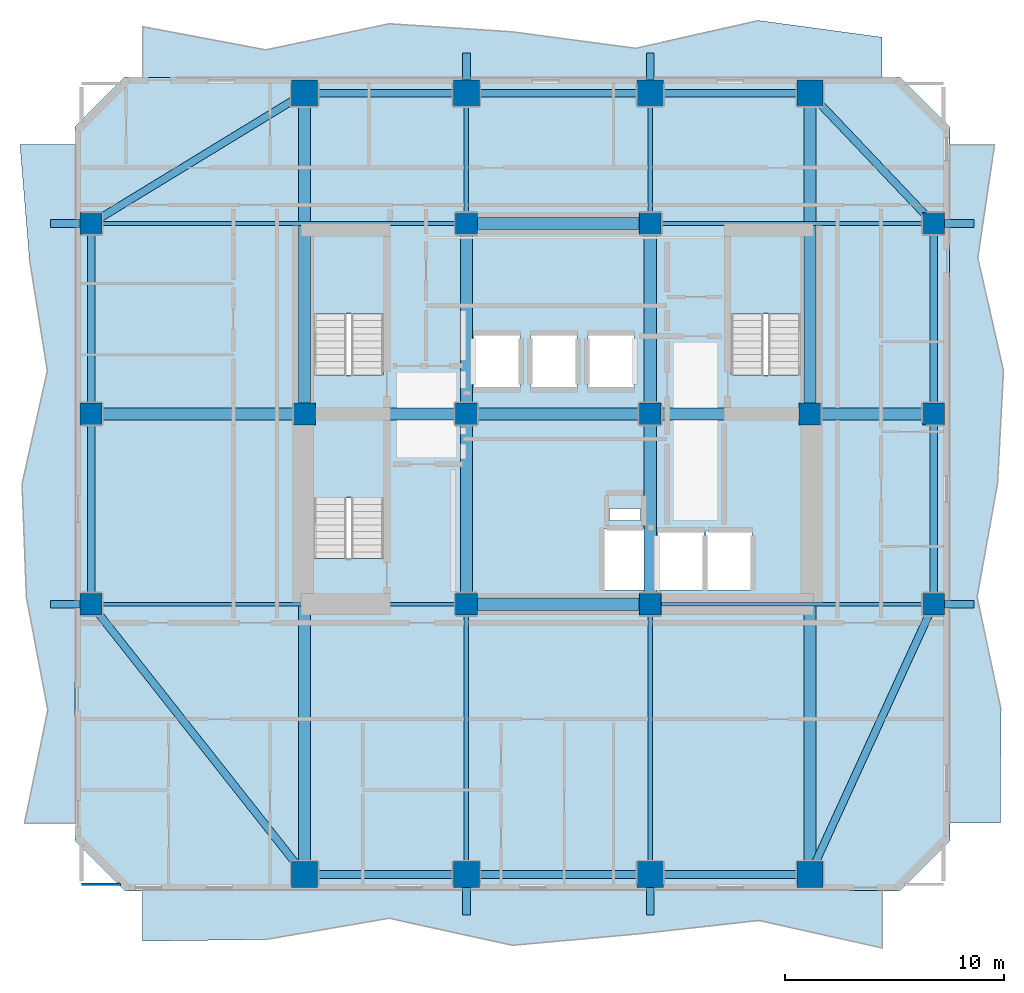
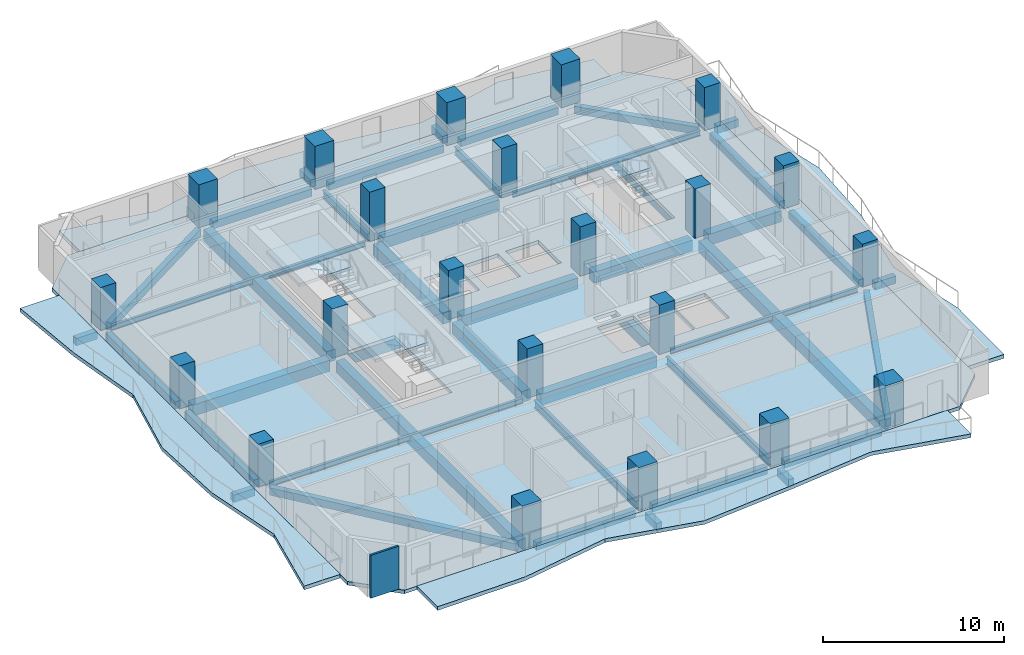
# One storey, part 1 of 10: 45 beams, 22 columns, 8 slabs, 1 wall, 3 elements without a shape of their own.
"""IFC4 building model written with IfcOpenShell, lengths in metres."""

import ifcopenshell
import ifcopenshell.guid

model = None  # the IFC model being written
_history = None  # IfcOwnerHistory: only IFC2X3 demands one
_inside = {}  # id of a spatial element -> (the spatial element, [elements in it])
_under = {}  # id of a project, library or spatial element -> (it, [spatial elements below it])
_declared = {}  # id of a project -> (the project, [libraries it declares])
_typed = {}  # id of a type object -> (the type object, [elements of that type])
_made_of = {}  # id of a material, layer set ... -> (it, [elements and type objects made of it])


def new_model(schema):
    """Start an empty IFC model of exactly this schema.

    Asked for "IFC4X3", IfcOpenShell would pick the latest addendum, in which some entities
    have other attributes; the version numbers below select the first issue.
    IFC2X3 requires an IfcOwnerHistory on every rooted entity: one is made here for all.
    """
    global model, _history
    if schema == "IFC4X3":
        model = ifcopenshell.file(schema_version=(4, 3, 0, 0))
    else:
        model = ifcopenshell.file(schema=schema)
    _inside.clear()
    _under.clear()
    _declared.clear()
    _typed.clear()
    _made_of.clear()
    _history = None
    if model.schema == "IFC2X3":
        org = make("IfcOrganization", Name="unknown")
        user = make(
            "IfcPersonAndOrganization",
            ThePerson=make("IfcPerson", FamilyName="unknown"),
            TheOrganization=org,
        )
        app = make(
            "IfcApplication",
            ApplicationDeveloper=org,
            Version="unknown",
            ApplicationFullName="unknown",
            ApplicationIdentifier="unknown",
        )
        _history = make(
            "IfcOwnerHistory",
            OwningUser=user,
            OwningApplication=app,
            ChangeAction="ADDED",
            CreationDate=0,
        )
    return model


def make(cls, **values):
    """One entity of the class cls with the attributes given. An attribute that is None is left unset."""
    return model.create_entity(
        cls, **{name: value for name, value in values.items() if value is not None}
    )


def rooted(cls, **values):
    """An entity with a GlobalId (a new one), such as an element, a storey or a relation."""
    return make(cls, GlobalId=ifcopenshell.guid.new(), OwnerHistory=_history, **values)


def si_unit(unit_type, name, prefix=None):
    """IfcSIUnit, for example si_unit("LENGTHUNIT", "METRE", prefix="MILLI")."""
    return make("IfcSIUnit", UnitType=unit_type, Prefix=prefix, Name=name)


def assignment(units):
    """IfcUnitAssignment: the units of a project."""
    return None if units is None else make("IfcUnitAssignment", Units=units)


def point(xyz):
    """IfcCartesianPoint."""
    return None if xyz is None else make("IfcCartesianPoint", Coordinates=xyz)


def direction(xyz):
    """IfcDirection."""
    return None if xyz is None else make("IfcDirection", DirectionRatios=xyz)


def frame(location, z_axis=None, x_axis=None):
    """IfcAxis2Placement3D, a coordinate frame: its origin and axes. An axis left out is left unset."""
    return make(
        "IfcAxis2Placement3D",
        Location=point(location),
        Axis=direction(z_axis),
        RefDirection=direction(x_axis),
    )


def frame_2d(location, x_axis=None):
    """IfcAxis2Placement2D, a coordinate frame in the plane: its origin and x axis."""
    return make(
        "IfcAxis2Placement2D", Location=point(location), RefDirection=direction(x_axis)
    )


def origin():
    """The frame at (0, 0, 0) with its axes left unset."""
    return frame((0.0, 0.0, 0.0))


def origin_2d():
    """The frame at (0, 0) in the plane with its x axis left unset."""
    return frame_2d((0.0, 0.0))


def place(relative_to, where):
    """IfcLocalPlacement: puts the frame where relative to a parent placement (None: the world)."""
    return make(
        "IfcLocalPlacement", PlacementRelTo=relative_to, RelativePlacement=where
    )


def context(
    kind, dimensions, precision=None, world=None, true_north=None, identifier=None
):
    """IfcGeometricRepresentationContext, for example the 3D "Model" context."""
    return make(
        "IfcGeometricRepresentationContext",
        ContextIdentifier=identifier,
        ContextType=kind,
        CoordinateSpaceDimension=dimensions,
        Precision=precision,
        WorldCoordinateSystem=world,
        TrueNorth=true_north,
    )


def subcontext(parent, identifier, kind, view, scale=None):
    """IfcGeometricRepresentationSubContext, for example "Body" below "Model"."""
    return make(
        "IfcGeometricRepresentationSubContext",
        ContextIdentifier=identifier,
        ContextType=kind,
        ParentContext=parent,
        TargetScale=scale,
        TargetView=view,
    )


def project(units=None, contexts=None):
    """IfcProject with its units and contexts."""
    return rooted(
        "IfcProject",
        Name="project",
        RepresentationContexts=contexts,
        UnitsInContext=assignment(units),
    )


def spatial(cls, under=None, at=None, **own):
    """A site, building, storey or space (cls), placed at a placement, below another one or the project."""
    s = rooted(cls, ObjectPlacement=at, **own)
    if under is not None:
        _under.setdefault(under.id(), (under, []))[1].append(s)
    return s


def polyline(points):
    """IfcPolyline through the points."""
    return make("IfcPolyline", Points=[point(p) for p in points])


def profile(cls, at=None, kind="AREA", **sizes):
    """A parametric profile (cls). Its sizes go by their IFC names, for example OverallWidth=200.0."""
    return make(cls, ProfileType=kind, Position=at, **sizes)


def rectangle(**sizes):
    """IfcRectangleProfileDef."""
    return profile("IfcRectangleProfileDef", **sizes)


def i_section(**sizes):
    """IfcIShapeProfileDef."""
    return profile("IfcIShapeProfileDef", **sizes)


def outline(outer, holes=None, kind="AREA"):
    """IfcArbitraryClosedProfileDef: a profile drawn as a closed curve; with holes, ...WithVoids."""
    if holes is None:
        return make("IfcArbitraryClosedProfileDef", ProfileType=kind, OuterCurve=outer)
    return make(
        "IfcArbitraryProfileDefWithVoids",
        ProfileType=kind,
        OuterCurve=outer,
        InnerCurves=holes,
    )


def extrude(swept, where, along, depth):
    """IfcExtrudedAreaSolid: the profile swept, set in the frame where, extruded along a direction by depth."""
    return make(
        "IfcExtrudedAreaSolid",
        SweptArea=swept,
        Position=where,
        ExtrudedDirection=direction(along),
        Depth=depth,
    )


def shape(context_of_items, identifier, shape_type, items):
    """IfcShapeRepresentation: the items that make up one representation, for example the "Body"."""
    return make(
        "IfcShapeRepresentation",
        ContextOfItems=context_of_items,
        RepresentationIdentifier=identifier,
        RepresentationType=shape_type,
        Items=items,
    )


def material(Name=None, Category=None):
    """IfcMaterial."""
    return make("IfcMaterial", Name=Name, Category=Category)


def layer(
    of_material, thickness, ventilated=None, Name=None, Category=None, Priority=None
):
    """IfcMaterialLayer: one layer of a wall or slab, of a material (None: an air gap)."""
    return make(
        "IfcMaterialLayer",
        Material=of_material,
        LayerThickness=thickness,
        IsVentilated=ventilated,
        Name=Name,
        Category=Category,
        Priority=Priority,
    )


def layer_set(layers, Name=None):
    """IfcMaterialLayerSet."""
    return make("IfcMaterialLayerSet", MaterialLayers=layers, LayerSetName=Name)


def material_profile(
    of_material, cross_section, Name=None, Category=None, Priority=None
):
    """IfcMaterialProfile: a cross section and its material."""
    return make(
        "IfcMaterialProfile",
        Name=Name,
        Material=of_material,
        Profile=cross_section,
        Priority=Priority,
        Category=Category,
    )


def profile_set(profiles, Name=None, composite=None):
    """IfcMaterialProfileSet."""
    return make(
        "IfcMaterialProfileSet",
        Name=Name,
        MaterialProfiles=profiles,
        CompositeProfile=composite,
    )


def made_of(thing, what):
    """Note that an element or type object is made of a material, layer set ...; save() writes the relation."""
    if what is not None:
        _made_of.setdefault(what.id(), (what, []))[1].append(thing)
    return thing


def type_object(cls, material=None, **own):
    """A type object (cls), such as IfcWallType, which elements share."""
    return made_of(rooted(cls, **own), material)


def element(
    cls,
    number,
    at=None,
    inside=None,
    cuts=None,
    type_object=None,
    material=None,
    context=None,
    identifier="Body",
    shape_type=None,
    held_by="IfcProductDefinitionShape",
    body=None,
    shapes=None,
    **own,
):
    """One element of the class cls, such as IfcWall. Its Tag is "e" and its number.

    at: its placement. inside: the storey or other place that contains it. cuts: it is an
    opening in that element (IfcRelVoidsElement). A single representation is given by context,
    identifier, shape_type and body (its items); several are given by shapes. held_by: the class
    of the entity that holds the representations. save() writes the other relations.
    """
    e = rooted(cls, Tag="e%d" % number, ObjectPlacement=at, **own)
    if body is not None:
        shapes = [shape(context, identifier, shape_type, body)]
    if shapes is not None:
        e.Representation = make(held_by, Representations=shapes)
    if inside is not None:
        _inside.setdefault(inside.id(), (inside, []))[1].append(e)
    if cuts is not None:
        rooted(
            "IfcRelVoidsElement", RelatingBuildingElement=cuts, RelatedOpeningElement=e
        )
    if type_object is not None:
        _typed.setdefault(type_object.id(), (type_object, []))[1].append(e)
    return made_of(e, material)


def aggregate(whole, parts):
    """IfcRelAggregates: a whole, such as a stair, and the parts it consists of."""
    return rooted("IfcRelAggregates", RelatingObject=whole, RelatedObjects=parts)


def save(model, path):
    """Write the relations noted so far, then the file.

    IfcRelAggregates (storeys below a building ...), IfcRelContainedInSpatialStructure (elements
    in a storey), IfcRelDefinesByType, IfcRelAssociatesMaterial and IfcRelDeclares: one each for
    every whole, place, type object, material and project.
    """
    for whole, parts in _under.values():
        aggregate(whole, parts)
    for where, things in _inside.values():
        rooted(
            "IfcRelContainedInSpatialStructure",
            RelatedElements=things,
            RelatingStructure=where,
        )
    for kind, things in _typed.values():
        rooted("IfcRelDefinesByType", RelatedObjects=things, RelatingType=kind)
    for what, things in _made_of.values():
        rooted("IfcRelAssociatesMaterial", RelatedObjects=things, RelatingMaterial=what)
    for by, libraries in _declared.values():
        rooted("IfcRelDeclares", RelatingContext=by, RelatedDefinitions=libraries)
    model.write(path)


model = new_model("IFC4")

# Units and contexts
model_context = context("Model", 3, precision=1e-05, world=origin(), true_north=direction((0.0, 1.0)))
body_context = subcontext(model_context, "Body", "Model", "MODEL_VIEW")
ifc_project = project(units=[si_unit("LENGTHUNIT", "METRE"), si_unit("AREAUNIT", "SQUARE_METRE"), si_unit("VOLUMEUNIT", "CUBIC_METRE"), si_unit("PLANEANGLEUNIT", "RADIAN"), si_unit("MASSUNIT", "GRAM", prefix="KILO")], contexts=[model_context])

# Site, building, storey
site_placement = place(None, origin())
site = spatial("IfcSite", under=ifc_project, at=site_placement, CompositionType="ELEMENT")
building_placement = place(site_placement, origin())
building = spatial("IfcBuilding", under=site, at=building_placement, Name="Solanera Arch Residences", CompositionType="ELEMENT")
storey_placement = place(building_placement, frame((0.0, 0.0, 122.679931640625)))
storey = spatial("IfcBuildingStorey", under=building, at=storey_placement, Name="L35", CompositionType="ELEMENT", Elevation=122.679931640625)

# Columns
ifc_material_1 = material(Name="Concrete C55/67 (f'c = 60 MPa)", Category="concrete")
ifc_material_profile_1 = material_profile(ifc_material_1, rectangle(XDim=1.0, YDim=1.0, at=origin_2d()))
ifc_profile_set_1 = profile_set([ifc_material_profile_1], Name="Concrete C55/67 (f'c = 60 MPa)")
column_type_1 = type_object("IfcColumnType", Name="Structural Column RC-COL-1000X1000", PredefinedType="COLUMN", material=ifc_profile_set_1)
for number, where, z_axis, x_axis, name in (
    (1, (20.800048828125, 22.0, 0.0), (0.0, 0.0, 1.0), (1.0, 0.0, 0.0), "COL-L35-CB-SW"),
    (2, (29.199951171875, 22.0, 0.0), (0.0, 0.0, 1.0), (1.0, 0.0, 0.0), "COL-L35-CB-SE"),
    (3, (20.800048828125, 39.39990234375, 0.0), (0.0, 0.0, 1.0), (1.0, 0.0, 0.0), "COL-L35-CB-NW"),
    (4, (29.199951171875, 39.39990234375, 0.0), (0.0, 0.0, 1.0), (1.0, 0.0, 0.0), "COL-L35-CB-NE"),
    (5, (13.39990234375, 30.699951171875, 0.0), (0.0, 0.0, 1.0), (1.0, 0.0, 0.0), "COL-L35-CB-WW"),
    (6, (36.5, 30.699951171875, 0.0), (0.0, 0.0, 1.0), (1.0, 0.0, 0.0), "COL-L35-CB-EE"),
    (7, (20.800048828125, 30.699951171875, 0.0), (0.0, 0.0, 1.0), (1.0, 0.0, 0.0), "COL-L35-CORE-W"),
    (8, (29.199951171875, 30.699951171875, 0.0), (0.0, 0.0, 1.0), (1.0, 0.0, 0.0), "COL-L35-CORE-E"),
):
    element("IfcColumn", number, at=place(storey_placement, frame(where, z_axis=z_axis, x_axis=x_axis)), inside=storey, type_object=column_type_1, Name=name, PredefinedType="COLUMN", context=body_context, shape_type="SweptSolid", body=[
        extrude(rectangle(XDim=1.0, YDim=1.0, at=origin_2d()), origin(), (0.0, 0.0, 1.0), 3.320068359375),
    ])
for number, where, z_axis, x_axis, name in (
    (9, (3.64990234375, 22.0, 0.0), (0.0, 0.0, 1.0), (1.0, 0.0, 0.0), "COL-L35-TWR-09"),
    (10, (42.14990234375, 22.0, 0.0), (0.0, 0.0, 1.0), (1.0, 0.0, 0.0), "COL-L35-TWR-10"),
    (11, (3.64990234375, 30.699951171875, 0.0), (0.0, 0.0, 1.0), (1.0, 0.0, 0.0), "COL-L35-TWR-11"),
    (12, (42.14990234375, 30.699951171875, 0.0), (0.0, 0.0, 1.0), (1.0, 0.0, 0.0), "COL-L35-TWR-12"),
    (13, (3.64990234375, 39.39990234375, 0.0), (0.0, 0.0, 1.0), (1.0, 0.0, 0.0), "COL-L35-TWR-13"),
    (14, (42.14990234375, 39.39990234375, 0.0), (0.0, 0.0, 1.0), (1.0, 0.0, 0.0), "COL-L35-TWR-14"),
):
    element("IfcColumn", number, at=place(storey_placement, frame(where, z_axis=z_axis, x_axis=x_axis)), inside=storey, type_object=column_type_1, Name=name, PredefinedType="COLUMN", context=body_context, shape_type="SweptSolid", body=[
        extrude(rectangle(XDim=1.0, YDim=1.0, at=origin_2d()), origin(), (0.0, 0.0, 1.0), 2.900146484375),
    ])
ifc_material_2 = material(Name="Concrete C55/67 (f'c = 60 MPa)", Category="concrete")
ifc_material_profile_2 = material_profile(ifc_material_2, rectangle(XDim=1.199951171875, YDim=1.199951171875, at=origin_2d()))
ifc_profile_set_2 = profile_set([ifc_material_profile_2], Name="Concrete C55/67 (f'c = 60 MPa)")
column_type_2 = type_object("IfcColumnType", Name="Structural Column RC-COL-1200X1200", PredefinedType="COLUMN", material=ifc_profile_set_2)
for number, where, z_axis, x_axis, name in (
    (15, (13.39990234375, 9.64990234375, 0.0), (0.0, 0.0, 1.0), (1.0, 0.0, 0.0), "COL-L35-TWR-01"),
    (16, (13.39990234375, 45.35009765625, 0.0), (0.0, 0.0, 1.0), (1.0, 0.0, 0.0), "COL-L35-TWR-02"),
    (17, (20.800048828125, 9.64990234375, 0.0), (0.0, 0.0, 1.0), (1.0, 0.0, 0.0), "COL-L35-TWR-03"),
    (18, (20.800048828125, 45.35009765625, 0.0), (0.0, 0.0, 1.0), (1.0, 0.0, 0.0), "COL-L35-TWR-04"),
    (19, (29.199951171875, 9.64990234375, 0.0), (0.0, 0.0, 1.0), (1.0, 0.0, 0.0), "COL-L35-TWR-05"),
    (20, (29.199951171875, 45.35009765625, 0.0), (0.0, 0.0, 1.0), (1.0, 0.0, 0.0), "COL-L35-TWR-06"),
    (21, (36.5, 9.64990234375, 0.0), (0.0, 0.0, 1.0), (1.0, 0.0, 0.0), "COL-L35-TWR-07"),
    (22, (36.5, 45.35009765625, 0.0), (0.0, 0.0, 1.0), (1.0, 0.0, 0.0), "COL-L35-TWR-08"),
):
    element("IfcColumn", number, at=place(storey_placement, frame(where, z_axis=z_axis, x_axis=x_axis)), inside=storey, type_object=column_type_2, Name=name, PredefinedType="COLUMN", context=body_context, shape_type="SweptSolid", body=[
        extrude(rectangle(XDim=1.199951171875, YDim=1.199951171875, at=origin_2d()), origin(), (0.0, 0.0, 1.0), 2.900146484375),
    ])

# Beams
ifc_material_3 = material(Name="Concrete C40/50 (f'c = 45 MPa)", Category="concrete")
ifc_material_profile_3 = material_profile(ifc_material_3, rectangle(XDim=0.35009765625, YDim=0.5, at=origin_2d()))
ifc_profile_set_3 = profile_set([ifc_material_profile_3], Name="Concrete C40/50 (f'c = 45 MPa)")
beam_type_1 = type_object("IfcBeamType", Name="BM-BALC-RIB", PredefinedType="BEAM", material=ifc_profile_set_3)
for number, where, z_axis, x_axis, name in (
    (23, (20.800048828125, 7.800048828125, -0.5), (0.0, 1.0, 0.0), (-1.0, 0.0, 0.0), "BM-L35-BRIB-S1"),
    (24, (29.199951171875, 7.800048828125, -0.5), (0.0, 1.0, 0.0), (-1.0, 0.0, 0.0), "BM-L35-BRIB-S2"),
    (25, (20.800048828125, 45.949951171875, -0.5), (0.0, 1.0, 0.0), (-1.0, 0.0, 0.0), "BM-L35-BRIB-N1"),
    (26, (29.199951171875, 45.949951171875, -0.5), (0.0, 1.0, 0.0), (-1.0, 0.0, 0.0), "BM-L35-BRIB-N2"),
):
    element("IfcBeam", number, at=place(storey_placement, frame(where, z_axis=z_axis, x_axis=x_axis)), inside=storey, type_object=beam_type_1, Name=name, PredefinedType="BEAM", context=body_context, shape_type="SweptSolid", body=[
        extrude(rectangle(XDim=0.35009765625, YDim=0.5, at=origin_2d()), origin(), (0.0, 0.0, 1.0), 1.25),
    ])
for number, where, z_axis, x_axis, name in (
    (27, (42.64990234375, 22.0, -0.5), (1.0, 0.0, 0.0), (0.0, 1.0, 0.0), "BM-L35-BRIB-E1"),
    (28, (42.64990234375, 39.39990234375, -0.5), (1.0, 0.0, 0.0), (0.0, 1.0, 0.0), "BM-L35-BRIB-E2"),
):
    element("IfcBeam", number, at=place(storey_placement, frame(where, z_axis=z_axis, x_axis=x_axis)), inside=storey, type_object=beam_type_1, Name=name, PredefinedType="BEAM", context=body_context, shape_type="SweptSolid", body=[
        extrude(rectangle(XDim=0.35009765625, YDim=0.5, at=origin_2d()), origin(), (0.0, 0.0, 1.0), 1.35009765625),
    ])
for number, where, z_axis, x_axis, name in (
    (29, (1.800048828125, 22.0, -0.5), (1.0, 0.0, 0.0), (0.0, 1.0, 0.0), "BM-L35-BRIB-W1"),
    (30, (1.800048828125, 39.39990234375, -0.5), (1.0, 0.0, 0.0), (0.0, 1.0, 0.0), "BM-L35-BRIB-W2"),
):
    element("IfcBeam", number, at=place(storey_placement, frame(where, z_axis=z_axis, x_axis=x_axis)), inside=storey, type_object=beam_type_1, Name=name, PredefinedType="BEAM", context=body_context, shape_type="SweptSolid", body=[
        extrude(rectangle(XDim=0.35009765625, YDim=0.5, at=origin_2d()), origin(), (0.0, 0.0, 1.0), 1.349853515625),
    ])
ifc_material_4 = material(Name="Steel S355 (ASTM A992 / A572 Grade 50)", Category="steel")
ifc_material_profile_4 = material_profile(ifc_material_4, i_section(OverallWidth=0.208984375, OverallDepth=0.532958984375, WebThickness=0.01025390625, FlangeThickness=0.015625, at=origin_2d()))
ifc_profile_set_4 = profile_set([ifc_material_profile_4], Name="Steel S355 (ASTM A992 / A572 Grade 50)")
beam_type_2 = type_object("IfcBeamType", Name="Floor Beam W530X92", PredefinedType="BEAM", material=ifc_profile_set_4)
beam_1_placement = place(storey_placement, frame((20.800048828125, 10.18994140625, -0.505859375), z_axis=(0.0, 1.0, 0.0), x_axis=(-1.0, 0.0, 0.0)))
element("IfcBeam", 31, at=beam_1_placement, inside=storey, type_object=beam_type_2, Name="BM-L35-RAD-S-208", PredefinedType="BEAM", context=body_context, shape_type="SweptSolid", body=[
    extrude(i_section(OverallWidth=0.208984375, OverallDepth=0.532958984375, WebThickness=0.01025390625, FlangeThickness=0.015625, at=origin_2d()), origin(), (0.0, 0.0, 1.0), 11.30615234375),
])
beam_2_placement = place(storey_placement, frame((20.800048828125, 39.904052734375, -0.505859375), z_axis=(0.0, 1.0, 0.0), x_axis=(-1.0, 0.0, 0.0)))
element("IfcBeam", 32, at=beam_2_placement, inside=storey, type_object=beam_type_2, Name="BM-L35-RAD-N-208", PredefinedType="BEAM", context=body_context, shape_type="SweptSolid", body=[
    extrude(i_section(OverallWidth=0.208984375, OverallDepth=0.532958984375, WebThickness=0.01025390625, FlangeThickness=0.015625, at=origin_2d()), origin(), (0.0, 0.0, 1.0), 4.906005859375),
])
beam_3_placement = place(storey_placement, frame((29.199951171875, 10.18994140625, -0.505859375), z_axis=(0.0, 1.0, 0.0), x_axis=(-1.0, 0.0, 0.0)))
element("IfcBeam", 33, at=beam_3_placement, inside=storey, type_object=beam_type_2, Name="BM-L35-RAD-S-292", PredefinedType="BEAM", context=body_context, shape_type="SweptSolid", body=[
    extrude(i_section(OverallWidth=0.208984375, OverallDepth=0.532958984375, WebThickness=0.01025390625, FlangeThickness=0.015625, at=origin_2d()), origin(), (0.0, 0.0, 1.0), 11.30615234375),
])
beam_4_placement = place(storey_placement, frame((29.199951171875, 39.904052734375, -0.505859375), z_axis=(0.0, 1.0, 0.0), x_axis=(-1.0, 0.0, 0.0)))
element("IfcBeam", 34, at=beam_4_placement, inside=storey, type_object=beam_type_2, Name="BM-L35-RAD-N-292", PredefinedType="BEAM", context=body_context, shape_type="SweptSolid", body=[
    extrude(i_section(OverallWidth=0.208984375, OverallDepth=0.532958984375, WebThickness=0.01025390625, FlangeThickness=0.015625, at=origin_2d()), origin(), (0.0, 0.0, 1.0), 4.906005859375),
])
ifc_material_5 = material(Name="Concrete C40/50 (f'c = 45 MPa)", Category="concrete")
ifc_material_profile_5 = material_profile(ifc_material_5, rectangle(XDim=0.550048828125, YDim=0.75, at=origin_2d()))
ifc_profile_set_5 = profile_set([ifc_material_profile_5], Name="Concrete C40/50 (f'c = 45 MPa)")
beam_type_3 = type_object("IfcBeamType", Name="Primary Beam RC-BM-550X750", PredefinedType="BEAM", material=ifc_profile_set_5)
beam_5_placement = place(storey_placement, frame((20.800048828125, 22.50390625, -0.614990234375), z_axis=(0.0, 1.0, 0.0), x_axis=(-1.0, 0.0, 0.0)))
element("IfcBeam", 35, at=beam_5_placement, inside=storey, type_object=beam_type_3, Name="BM-L35-CC-S-208", PredefinedType="BEAM", context=body_context, shape_type="SweptSolid", body=[
    extrude(rectangle(XDim=0.550048828125, YDim=0.75, at=origin_2d()), origin(), (0.0, 0.0, 1.0), 7.692138671875),
])
beam_6_placement = place(storey_placement, frame((20.800048828125, 31.2041015625, -0.614990234375), z_axis=(0.0, 1.0, 0.0), x_axis=(-1.0, 0.0, 0.0)))
element("IfcBeam", 36, at=beam_6_placement, inside=storey, type_object=beam_type_3, Name="BM-L35-CC-N-208", PredefinedType="BEAM", context=body_context, shape_type="SweptSolid", body=[
    extrude(rectangle(XDim=0.550048828125, YDim=0.75, at=origin_2d()), origin(), (0.0, 0.0, 1.0), 7.69189453125),
])
beam_7_placement = place(storey_placement, frame((29.199951171875, 22.50390625, -0.614990234375), z_axis=(0.0, 1.0, 0.0), x_axis=(-1.0, 0.0, 0.0)))
element("IfcBeam", 37, at=beam_7_placement, inside=storey, type_object=beam_type_3, Name="BM-L35-CC-S-292", PredefinedType="BEAM", context=body_context, shape_type="SweptSolid", body=[
    extrude(rectangle(XDim=0.550048828125, YDim=0.75, at=origin_2d()), origin(), (0.0, 0.0, 1.0), 7.692138671875),
])
beam_8_placement = place(storey_placement, frame((29.199951171875, 31.2041015625, -0.614990234375), z_axis=(0.0, 1.0, 0.0), x_axis=(-1.0, 0.0, 0.0)))
element("IfcBeam", 38, at=beam_8_placement, inside=storey, type_object=beam_type_3, Name="BM-L35-CC-N-292", PredefinedType="BEAM", context=body_context, shape_type="SweptSolid", body=[
    extrude(rectangle(XDim=0.550048828125, YDim=0.75, at=origin_2d()), origin(), (0.0, 0.0, 1.0), 7.69189453125),
])
for number, where, z_axis, x_axis, name in (
    (39, (21.303955078125, 22.0, -0.614990234375), (1.0, 0.0, 0.0), (0.0, 1.0, 0.0), "BM-L35-CC-M-220"),
    (40, (21.303955078125, 30.699951171875, -0.614990234375), (1.0, 0.0, 0.0), (0.0, 1.0, 0.0), "BM-L35-CC-M-307"),
    (41, (21.303955078125, 39.39990234375, -0.614990234375), (1.0, 0.0, 0.0), (0.0, 1.0, 0.0), "BM-L35-CC-M-394"),
):
    element("IfcBeam", number, at=place(storey_placement, frame(where, z_axis=z_axis, x_axis=x_axis)), inside=storey, type_object=beam_type_3, Name=name, PredefinedType="BEAM", context=body_context, shape_type="SweptSolid", body=[
        extrude(rectangle(XDim=0.550048828125, YDim=0.75, at=origin_2d()), origin(), (0.0, 0.0, 1.0), 7.39208984375),
    ])
beam_9_placement = place(storey_placement, frame((13.904052734375, 30.699951171875, -0.614990234375), z_axis=(1.0, 0.0, 0.0), x_axis=(0.0, 1.0, 0.0)))
element("IfcBeam", 42, at=beam_9_placement, inside=storey, type_object=beam_type_3, Name="BM-L35-CC-W", PredefinedType="BEAM", context=body_context, shape_type="SweptSolid", body=[
    extrude(rectangle(XDim=0.550048828125, YDim=0.75, at=origin_2d()), origin(), (0.0, 0.0, 1.0), 6.391845703125),
])
beam_10_placement = place(storey_placement, frame((29.7041015625, 30.699951171875, -0.614990234375), z_axis=(1.0, 0.0, 0.0), x_axis=(0.0, 1.0, 0.0)))
element("IfcBeam", 43, at=beam_10_placement, inside=storey, type_object=beam_type_3, Name="BM-L35-CC-E", PredefinedType="BEAM", context=body_context, shape_type="SweptSolid", body=[
    extrude(rectangle(XDim=0.550048828125, YDim=0.75, at=origin_2d()), origin(), (0.0, 0.0, 1.0), 6.2919921875),
])
beam_11_placement = place(storey_placement, frame((13.39990234375, 10.18994140625, -0.614990234375), z_axis=(0.0, 1.0, 0.0), x_axis=(-1.0, 0.0, 0.0)))
element("IfcBeam", 44, at=beam_11_placement, inside=storey, type_object=beam_type_3, Name="BM-L35-RAD-OS-134", PredefinedType="BEAM", context=body_context, shape_type="SweptSolid", body=[
    extrude(rectangle(XDim=0.550048828125, YDim=0.75, at=origin_2d()), origin(), (0.0, 0.0, 1.0), 20.006103515625),
])
beam_12_placement = place(storey_placement, frame((13.39990234375, 31.2041015625, -0.614990234375), z_axis=(0.0, 1.0, 0.0), x_axis=(-1.0, 0.0, 0.0)))
element("IfcBeam", 45, at=beam_12_placement, inside=storey, type_object=beam_type_3, Name="BM-L35-RAD-ON-134", PredefinedType="BEAM", context=body_context, shape_type="SweptSolid", body=[
    extrude(rectangle(XDim=0.550048828125, YDim=0.75, at=origin_2d()), origin(), (0.0, 0.0, 1.0), 13.60595703125),
])
beam_13_placement = place(storey_placement, frame((36.5, 10.18994140625, -0.614990234375), z_axis=(0.0, 1.0, 0.0), x_axis=(-1.0, 0.0, 0.0)))
element("IfcBeam", 46, at=beam_13_placement, inside=storey, type_object=beam_type_3, Name="BM-L35-RAD-OS-365", PredefinedType="BEAM", context=body_context, shape_type="SweptSolid", body=[
    extrude(rectangle(XDim=0.550048828125, YDim=0.75, at=origin_2d()), origin(), (0.0, 0.0, 1.0), 20.006103515625),
])
beam_14_placement = place(storey_placement, frame((36.5, 31.2041015625, -0.614990234375), z_axis=(0.0, 1.0, 0.0), x_axis=(-1.0, 0.0, 0.0)))
element("IfcBeam", 47, at=beam_14_placement, inside=storey, type_object=beam_type_3, Name="BM-L35-RAD-ON-365", PredefinedType="BEAM", context=body_context, shape_type="SweptSolid", body=[
    extrude(rectangle(XDim=0.550048828125, YDim=0.75, at=origin_2d()), origin(), (0.0, 0.0, 1.0), 13.60595703125),
])
beam_15_placement = place(storey_placement, frame((4.154052734375, 30.699951171875, -0.614990234375), z_axis=(1.0, 0.0, 0.0), x_axis=(0.0, 1.0, 0.0)))
element("IfcBeam", 48, at=beam_15_placement, inside=storey, type_object=beam_type_3, Name="BM-L35-RAD-MW", PredefinedType="BEAM", context=body_context, shape_type="SweptSolid", body=[
    extrude(rectangle(XDim=0.550048828125, YDim=0.75, at=origin_2d()), origin(), (0.0, 0.0, 1.0), 8.741943359375),
])
beam_16_placement = place(storey_placement, frame((37.00390625, 30.699951171875, -0.614990234375), z_axis=(1.0, 0.0, 0.0), x_axis=(0.0, 1.0, 0.0)))
element("IfcBeam", 49, at=beam_16_placement, inside=storey, type_object=beam_type_3, Name="BM-L35-RAD-ME", PredefinedType="BEAM", context=body_context, shape_type="SweptSolid", body=[
    extrude(rectangle(XDim=0.550048828125, YDim=0.75, at=origin_2d()), origin(), (0.0, 0.0, 1.0), 4.64208984375),
])
ifc_material_6 = material(Name="Steel S355 (ASTM A992 / A572 Grade 50)", Category="steel")
ifc_material_profile_6 = material_profile(ifc_material_6, i_section(OverallWidth=0.172119140625, OverallDepth=0.35791015625, WebThickness=0.0078125, FlangeThickness=0.01318359375, at=origin_2d()))
ifc_profile_set_6 = profile_set([ifc_material_profile_6], Name="Steel S355 (ASTM A992 / A572 Grade 50)")
beam_type_4 = type_object("IfcBeamType", Name="Secondary Joist W360X57.8", PredefinedType="JOIST", material=ifc_profile_set_6)
beam_17_placement = place(storey_placement, frame((4.154052734375, 22.0, -0.4189453125), z_axis=(1.0, 0.0, 0.0), x_axis=(0.0, 1.0, 0.0)))
element("IfcBeam", 50, at=beam_17_placement, inside=storey, type_object=beam_type_4, Name="BM-L35-RAD-W-220", PredefinedType="JOIST", context=body_context, shape_type="SweptSolid", body=[
    extrude(i_section(OverallWidth=0.172119140625, OverallDepth=0.35791015625, WebThickness=0.0078125, FlangeThickness=0.01318359375, at=origin_2d()), origin(), (0.0, 0.0, 1.0), 16.141845703125),
])
beam_18_placement = place(storey_placement, frame((29.7041015625, 22.0, -0.4189453125), z_axis=(1.0, 0.0, 0.0), x_axis=(0.0, 1.0, 0.0)))
element("IfcBeam", 51, at=beam_18_placement, inside=storey, type_object=beam_type_4, Name="BM-L35-RAD-E-220", PredefinedType="JOIST", context=body_context, shape_type="SweptSolid", body=[
    extrude(i_section(OverallWidth=0.172119140625, OverallDepth=0.35791015625, WebThickness=0.0078125, FlangeThickness=0.01318359375, at=origin_2d()), origin(), (0.0, 0.0, 1.0), 11.94189453125),
])
beam_19_placement = place(storey_placement, frame((4.154052734375, 39.39990234375, -0.4189453125), z_axis=(1.0, 0.0, 0.0), x_axis=(0.0, 1.0, 0.0)))
element("IfcBeam", 52, at=beam_19_placement, inside=storey, type_object=beam_type_4, Name="BM-L35-RAD-W-394", PredefinedType="JOIST", context=body_context, shape_type="SweptSolid", body=[
    extrude(i_section(OverallWidth=0.172119140625, OverallDepth=0.35791015625, WebThickness=0.0078125, FlangeThickness=0.01318359375, at=origin_2d()), origin(), (0.0, 0.0, 1.0), 16.141845703125),
])
beam_20_placement = place(storey_placement, frame((29.7041015625, 39.39990234375, -0.4189453125), z_axis=(1.0, 0.0, 0.0), x_axis=(0.0, 1.0, 0.0)))
element("IfcBeam", 53, at=beam_20_placement, inside=storey, type_object=beam_type_4, Name="BM-L35-RAD-E-394", PredefinedType="JOIST", context=body_context, shape_type="SweptSolid", body=[
    extrude(i_section(OverallWidth=0.172119140625, OverallDepth=0.35791015625, WebThickness=0.0078125, FlangeThickness=0.01318359375, at=origin_2d()), origin(), (0.0, 0.0, 1.0), 11.94189453125),
])
ifc_material_7 = material(Name="Concrete C40/50 (f'c = 45 MPa)", Category="concrete")
ifc_material_profile_7 = material_profile(ifc_material_7, rectangle(XDim=0.35009765625, YDim=0.5, at=origin_2d()))
ifc_profile_set_7 = profile_set([ifc_material_profile_7], Name="Concrete C40/50 (f'c = 45 MPa)")
beam_type_5 = type_object("IfcBeamType", Name="Spandrel Beam RC-BM-350X500", PredefinedType="SPANDREL", material=ifc_profile_set_7)
for number, where, z_axis, x_axis, name in (
    (54, (13.93994140625, 9.64990234375, -0.489990234375), (1.0, 0.0, 0.0), (0.0, 1.0, 0.0), "BM-L35-SPN-S-1"),
    (55, (13.93994140625, 45.35009765625, -0.489990234375), (1.0, 0.0, 0.0), (0.0, 1.0, 0.0), "BM-L35-SPN-N-1"),
):
    element("IfcBeam", number, at=place(storey_placement, frame(where, z_axis=z_axis, x_axis=x_axis)), inside=storey, type_object=beam_type_5, Name=name, PredefinedType="SPANDREL", context=body_context, shape_type="SweptSolid", body=[
        extrude(rectangle(XDim=0.35009765625, YDim=0.5, at=origin_2d()), origin(), (0.0, 0.0, 1.0), 6.320068359375),
    ])
for number, where, z_axis, x_axis, name in (
    (56, (21.340087890625, 9.64990234375, -0.489990234375), (1.0, 0.0, 0.0), (0.0, 1.0, 0.0), "BM-L35-SPN-S-2"),
    (57, (21.340087890625, 45.35009765625, -0.489990234375), (1.0, 0.0, 0.0), (0.0, 1.0, 0.0), "BM-L35-SPN-N-2"),
):
    element("IfcBeam", number, at=place(storey_placement, frame(where, z_axis=z_axis, x_axis=x_axis)), inside=storey, type_object=beam_type_5, Name=name, PredefinedType="SPANDREL", context=body_context, shape_type="SweptSolid", body=[
        extrude(rectangle(XDim=0.35009765625, YDim=0.5, at=origin_2d()), origin(), (0.0, 0.0, 1.0), 7.31982421875),
    ])
for number, where, z_axis, x_axis, name in (
    (58, (29.739990234375, 9.64990234375, -0.489990234375), (1.0, 0.0, 0.0), (0.0, 1.0, 0.0), "BM-L35-SPN-S-3"),
    (59, (29.739990234375, 45.35009765625, -0.489990234375), (1.0, 0.0, 0.0), (0.0, 1.0, 0.0), "BM-L35-SPN-N-3"),
):
    element("IfcBeam", number, at=place(storey_placement, frame(where, z_axis=z_axis, x_axis=x_axis)), inside=storey, type_object=beam_type_5, Name=name, PredefinedType="SPANDREL", context=body_context, shape_type="SweptSolid", body=[
        extrude(rectangle(XDim=0.35009765625, YDim=0.5, at=origin_2d()), origin(), (0.0, 0.0, 1.0), 6.219970703125),
    ])
for number, where, z_axis, x_axis, name in (
    (60, (3.64990234375, 22.50390625, -0.489990234375), (0.0, 1.0, 0.0), (-1.0, 0.0, 0.0), "BM-L35-SPN-W-1"),
    (61, (42.14990234375, 22.50390625, -0.489990234375), (0.0, 1.0, 0.0), (-1.0, 0.0, 0.0), "BM-L35-SPN-E-1"),
):
    element("IfcBeam", number, at=place(storey_placement, frame(where, z_axis=z_axis, x_axis=x_axis)), inside=storey, type_object=beam_type_5, Name=name, PredefinedType="SPANDREL", context=body_context, shape_type="SweptSolid", body=[
        extrude(rectangle(XDim=0.35009765625, YDim=0.5, at=origin_2d()), origin(), (0.0, 0.0, 1.0), 7.692138671875),
    ])
for number, where, z_axis, x_axis, name in (
    (62, (3.64990234375, 31.2041015625, -0.489990234375), (0.0, 1.0, 0.0), (-1.0, 0.0, 0.0), "BM-L35-SPN-W-2"),
    (63, (42.14990234375, 31.2041015625, -0.489990234375), (0.0, 1.0, 0.0), (-1.0, 0.0, 0.0), "BM-L35-SPN-E-2"),
):
    element("IfcBeam", number, at=place(storey_placement, frame(where, z_axis=z_axis, x_axis=x_axis)), inside=storey, type_object=beam_type_5, Name=name, PredefinedType="SPANDREL", context=body_context, shape_type="SweptSolid", body=[
        extrude(rectangle(XDim=0.35009765625, YDim=0.5, at=origin_2d()), origin(), (0.0, 0.0, 1.0), 7.69189453125),
    ])
beam_21_placement = place(storey_placement, frame((13.06494140625, 10.073974609375, -0.489990234375), z_axis=(-0.619616738842, 0.784904514541, 0.0), x_axis=(-0.784904514541, -0.619616738842, 0.0)))
element("IfcBeam", 64, at=beam_21_placement, inside=storey, type_object=beam_type_5, Name="BM-L35-SPN-SW", PredefinedType="SPANDREL", context=body_context, shape_type="SweptSolid", body=[
    extrude(rectangle(XDim=0.35009765625, YDim=0.5, at=origin_2d()), origin(), (0.0, 0.0, 1.0), 14.654052734375),
])
beam_22_placement = place(storey_placement, frame((12.93896484375, 45.069091796875, -0.489990234375), z_axis=(-0.85356704597, -0.520983011271, 0.0), x_axis=(0.520983011271, -0.85356704597, 0.0)))
element("IfcBeam", 65, at=beam_22_placement, inside=storey, type_object=beam_type_5, Name="BM-L35-SPN-NW", PredefinedType="SPANDREL", context=body_context, shape_type="SweptSolid", body=[
    extrude(rectangle(XDim=0.35009765625, YDim=0.5, at=origin_2d()), origin(), (0.0, 0.0, 1.0), 10.34228515625),
])
beam_23_placement = place(storey_placement, frame((36.72509765625, 10.14111328125, -0.489990234375), z_axis=(0.415970676335, 0.909378027241, 0.0), x_axis=(-0.909378027241, 0.415970676335, 0.0)))
element("IfcBeam", 66, at=beam_23_placement, inside=storey, type_object=beam_type_5, Name="BM-L35-SPN-SE", PredefinedType="SPANDREL", context=body_context, shape_type="SweptSolid", body=[
    extrude(rectangle(XDim=0.35009765625, YDim=0.5, at=origin_2d()), origin(), (0.0, 0.0, 1.0), 12.500732421875),
])
beam_24_placement = place(storey_placement, frame((36.8720703125, 44.9580078125, -0.489990234375), z_axis=(0.688623365426, -0.7251192044, 0.0), x_axis=(0.7251192044, 0.688623365426, 0.0)))
element("IfcBeam", 67, at=beam_24_placement, inside=storey, type_object=beam_type_5, Name="BM-L35-SPN-NE", PredefinedType="SPANDREL", context=body_context, shape_type="SweptSolid", body=[
    extrude(rectangle(XDim=0.35009765625, YDim=0.5, at=origin_2d()), origin(), (0.0, 0.0, 1.0), 7.124267578125),
])

# Slabs
ifc_material_8 = material(Name="Concrete C40/50 (f'c = 45 MPa)", Category="concrete")
ifc_layer_1 = layer(ifc_material_8, 0.25)
ifc_layer_set_1 = layer_set([ifc_layer_1], Name="Concrete C40/50 (f'c = 45 MPa)")
slab_type_1 = type_object("IfcSlabType", Name="Balcony Slab 250", PredefinedType="FLOOR", material=ifc_layer_set_1)
slab_1_placement = place(storey_placement, frame((0.0, 0.0, -0.25)))
element("IfcSlab", 68, at=slab_1_placement, inside=storey, type_object=slab_type_1, Name="L35 S Rippling Brise-Soleil Balcony Slab", PredefinedType="FLOOR", context=body_context, shape_type="SweptSolid", body=[
    extrude(outline(polyline([(6.0, 6.60498046875), (11.633056640625, 6.679931640625), (17.26708984375, 7.64990234375), (22.89990234375, 6.4140625), (28.532958984375, 6.923095703125), (34.1669921875, 7.550048828125), (39.800048828125, 6.291015625), (39.800048828125, 8.919921875), (6.0, 8.919921875), (6.0, 6.60498046875)])), origin(), (0.0, 0.0, 1.0), 0.25),
])
slab_2_placement = place(storey_placement, frame((0.0, 0.0, -0.25)))
element("IfcSlab", 69, at=slab_2_placement, inside=storey, type_object=slab_type_1, Name="L35 N Rippling Brise-Soleil Balcony Slab", PredefinedType="FLOOR", context=body_context, shape_type="SweptSolid", body=[
    extrude(outline(polyline([(39.800048828125, 47.910888671875), (34.1669921875, 48.677001953125), (28.532958984375, 47.406982421875), (22.89990234375, 48.159912109375), (17.26708984375, 48.529052734375), (11.633056640625, 47.3349609375), (6.0, 48.39501953125), (6.0, 46.080078125), (39.800048828125, 46.080078125), (39.800048828125, 47.910888671875)])), origin(), (0.0, 0.0, 1.0), 0.25),
])
slab_3_placement = place(storey_placement, frame((0.0, 0.0, -0.25)))
element("IfcSlab", 70, at=slab_3_placement, inside=storey, type_object=slab_type_1, Name="L35 E Rippling Brise-Soleil Balcony Slab", PredefinedType="FLOOR", context=body_context, shape_type="SweptSolid", body=[
    extrude(outline(polyline([(45.195068359375, 12.0), (45.23388671875, 17.1669921875), (44.135986328125, 22.3330078125), (45.068115234375, 27.5), (45.342041015625, 32.6669921875), (44.16796875, 37.8330078125), (44.93310546875, 43.0), (42.8798828125, 43.0), (42.8798828125, 12.0), (45.195068359375, 12.0)])), origin(), (0.0, 0.0, 1.0), 0.25),
])
slab_4_placement = place(storey_placement, frame((0.0, 0.0, -0.25)))
element("IfcSlab", 71, at=slab_4_placement, inside=storey, type_object=slab_type_1, Name="L35 W Rippling Brise-Soleil Balcony Slab", PredefinedType="FLOOR", context=body_context, shape_type="SweptSolid", body=[
    extrude(outline(polyline([(0.39697265625, 43.0), (0.821044921875, 37.8330078125), (1.64599609375, 32.6669921875), (0.491943359375, 27.5), (0.68798828125, 22.3330078125), (1.66796875, 17.1669921875), (0.60498046875, 12.0), (2.919921875, 12.0), (2.919921875, 43.0), (0.39697265625, 43.0)])), origin(), (0.0, 0.0, 1.0), 0.25),
])

# Stair, slab
ifc_material_9 = material(Name="Concrete C40/50 (f'c = 45 MPa)", Category="concrete")
stair_type = type_object("IfcStairType", Name="Tower Dogleg Exit Stair 1480", PredefinedType="HALF_TURN_STAIR", material=ifc_material_9)
stair_1_placement = place(storey_placement, origin())
stair_1 = element("IfcStair", 72, at=stair_1_placement, inside=storey, type_object=stair_type, Name="L35 Tower Core Exit Stair 1", PredefinedType="HALF_TURN_STAIR")
ifc_material_10 = material(Name="Concrete C40/50 (f'c = 45 MPa)", Category="concrete")
ifc_layer_2 = layer(ifc_material_10, 0.199951171875)
ifc_layer_set_2 = layer_set([ifc_layer_2], Name="Concrete C40/50 (f'c = 45 MPa)")
slab_type_2 = type_object("IfcSlabType", Name="Stair Half-Landing Slab 200", PredefinedType="LANDING", material=ifc_layer_set_2)
slab_5_placement = place(storey_placement, frame((0.0, 0.0, 1.4599609375)))
slab_5 = element("IfcSlab", 73, at=slab_5_placement, type_object=slab_type_2, Name="ST-T1 landing 1", PredefinedType="LANDING", context=body_context, shape_type="SweptSolid", body=[
    extrude(outline(polyline([(17.1201171875, 35.260009765625), (17.1201171875, 38.919921875), (13.719970703125, 38.919921875), (13.719970703125, 35.260009765625), (17.1201171875, 35.260009765625)])), origin(), (0.0, 0.0, 1.0), 0.2001953125),
])
aggregate(stair_1, [slab_5])

stair_2_placement = place(storey_placement, origin())
stair_2 = element("IfcStair", 74, at=stair_2_placement, inside=storey, type_object=stair_type, Name="L35 Tower Core Exit Stair 2", PredefinedType="HALF_TURN_STAIR")
slab_6_placement = place(storey_placement, frame((0.0, 0.0, 1.4599609375)))
slab_6 = element("IfcSlab", 75, at=slab_6_placement, type_object=slab_type_2, Name="ST-T2 landing 1", PredefinedType="LANDING", context=body_context, shape_type="SweptSolid", body=[
    extrude(outline(polyline([(36.179931640625, 35.260009765625), (36.179931640625, 38.919921875), (32.780029296875, 38.919921875), (32.780029296875, 35.260009765625), (36.179931640625, 35.260009765625)])), origin(), (0.0, 0.0, 1.0), 0.2001953125),
])
aggregate(stair_2, [slab_6])

stair_3_placement = place(storey_placement, origin())
stair_3 = element("IfcStair", 76, at=stair_3_placement, inside=storey, type_object=stair_type, Name="L35 Tower Core Exit Stair 3", PredefinedType="HALF_TURN_STAIR")
slab_7_placement = place(storey_placement, frame((0.0, 0.0, 1.4599609375)))
slab_7 = element("IfcSlab", 77, at=slab_7_placement, type_object=slab_type_2, Name="ST-T3 landing 1", PredefinedType="LANDING", context=body_context, shape_type="SweptSolid", body=[
    extrude(outline(polyline([(17.1201171875, 26.860107421875), (17.1201171875, 30.52001953125), (13.719970703125, 30.52001953125), (13.719970703125, 26.860107421875), (17.1201171875, 26.860107421875)])), origin(), (0.0, 0.0, 1.0), 0.2001953125),
])
aggregate(stair_3, [slab_7])

# Slab
ifc_material_11 = material(Name="Concrete C40/50 (f'c = 45 MPa)", Category="concrete")
ifc_layer_3 = layer(ifc_material_11, 0.239990234375)
ifc_layer_set_3 = layer_set([ifc_layer_3], Name="Concrete C40/50 (f'c = 45 MPa)")
slab_type_3 = type_object("IfcSlabType", Name="Suspended Floor Slab Post-Tensioned 240", PredefinedType="FLOOR", material=ifc_layer_set_3)
slab_8_placement = place(storey_placement, frame((0.0, 0.0, -0.239990234375)))
element("IfcSlab", 78, at=slab_8_placement, inside=storey, type_object=slab_type_3, Name="L35 Tower Post-Tensioned Floor Slab", PredefinedType="FLOOR", context=body_context, shape_type="SweptSolid", body=[
    extrude(outline(polyline([(5.199951171875, 8.89990234375), (40.60009765625, 8.89990234375), (42.89990234375, 11.199951171875), (42.89990234375, 43.800048828125), (40.60009765625, 46.10009765625), (5.199951171875, 46.10009765625), (2.89990234375, 43.800048828125), (2.89990234375, 11.199951171875), (5.199951171875, 8.89990234375)]), holes=[polyline([(13.840087890625, 32.48291015625), (13.840087890625, 38.800048828125), (17.0, 38.800048828125), (17.0, 32.48291015625), (13.840087890625, 32.48291015625)]), polyline([(32.89990234375, 32.48291015625), (32.89990234375, 38.800048828125), (36.06005859375, 38.800048828125), (36.06005859375, 32.48291015625), (32.89990234375, 32.48291015625)]), polyline([(13.840087890625, 24.0830078125), (13.840087890625, 30.39990234375), (17.0, 30.39990234375), (17.0, 24.0830078125), (13.840087890625, 24.0830078125)]), polyline([(21.14990234375, 34.35009765625), (23.25, 34.35009765625), (23.25, 31.85009765625), (21.14990234375, 31.85009765625), (21.14990234375, 34.35009765625)]), polyline([(23.75, 34.35009765625), (25.85009765625, 34.35009765625), (25.85009765625, 31.85009765625), (23.75, 31.85009765625), (23.75, 34.35009765625)]), polyline([(26.35009765625, 34.35009765625), (28.449951171875, 34.35009765625), (28.449951171875, 31.85009765625), (26.35009765625, 31.85009765625), (26.35009765625, 34.35009765625)]), polyline([(29.550048828125, 25.35009765625), (31.64990234375, 25.35009765625), (31.64990234375, 22.64990234375), (29.550048828125, 22.64990234375), (29.550048828125, 25.35009765625)]), polyline([(31.75, 25.35009765625), (33.85009765625, 25.35009765625), (33.85009765625, 22.64990234375), (31.75, 22.64990234375), (31.75, 25.35009765625)]), polyline([(27.050048828125, 25.449951171875), (29.35009765625, 25.449951171875), (29.35009765625, 22.64990234375), (27.050048828125, 22.64990234375), (27.050048828125, 25.449951171875)]), polyline([(27.340087890625, 26.3798828125), (28.760009765625, 26.3798828125), (28.760009765625, 25.820068359375), (27.340087890625, 25.820068359375), (27.340087890625, 26.3798828125)])]), origin(), (0.0, 0.0, 1.0), 0.239990234375),
])

# Wall
ifc_material_12 = material(Name="Fire-Rated Gypsum Stud Partition", Category="gypsum")
ifc_layer_4 = layer(ifc_material_12, 0.1201171875)
ifc_layer_set_4 = layer_set([ifc_layer_4], Name="Fire-Rated Gypsum Stud Partition")
wall_type = type_object("IfcWallType", Name="Unit Drywall Partition 120", PredefinedType="PARTITIONING", material=ifc_layer_set_4)
wall_placement = place(storey_placement, frame((3.199951171875, 9.199951171875, 0.0), z_axis=(0.0, 0.0, 1.0), x_axis=(1.0, 0.0, 0.0)))
element("IfcWall", 79, at=wall_placement, inside=storey, type_object=wall_type, Name="L35 Interior Partition H18 1", PredefinedType="PARTITIONING", context=body_context, shape_type="SweptSolid", body=[
    extrude(rectangle(XDim=1.795166015625, YDim=0.1201171875, at=frame_2d((0.8974609375, 0.0))), origin(), (0.0, 0.0, 1.0), 2.900146484375),
])

save(model, "model.ifc")
